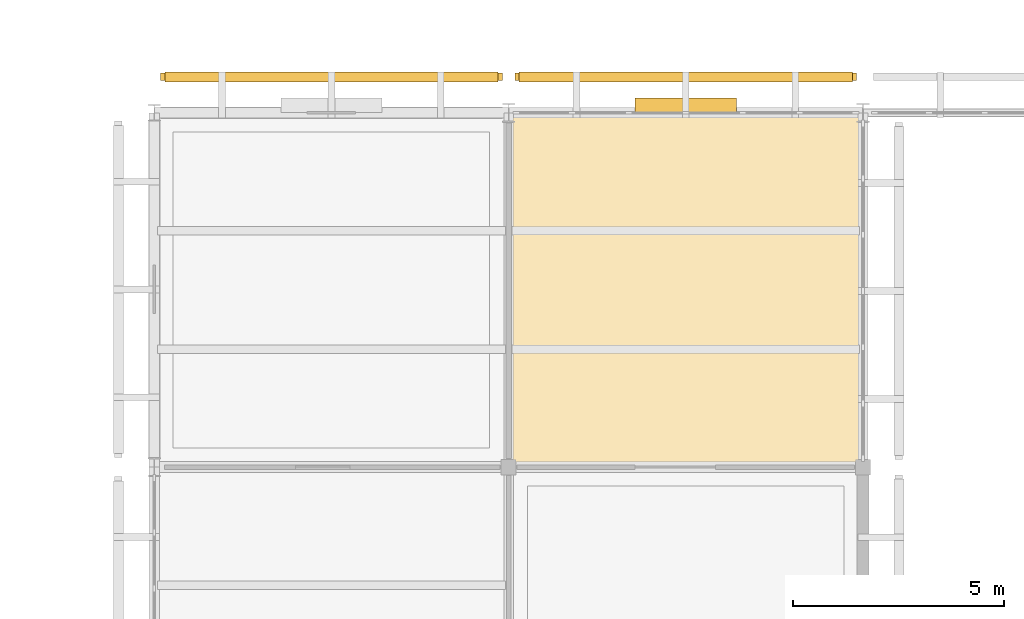
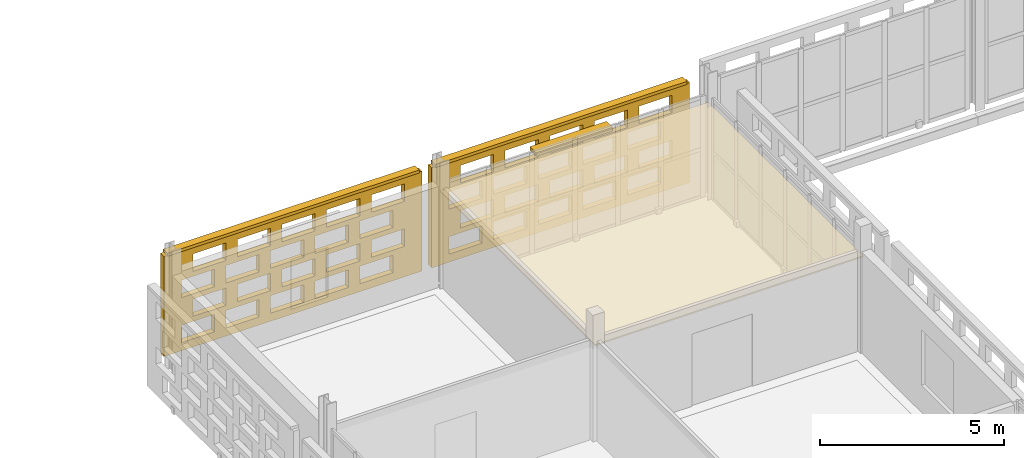
# One storey, part 118 of 140: 3 coverings, 3 shading devices, 40 openings.
"""IFC4 building model written with IfcOpenShell, lengths in metres."""

from ifc_helpers import new_model, si_unit, direction, frame, frame_2d, origin, origin_2d, place, context, subcontext, project, spatial, rectangle, extrude, material, layer, layer_set, type_object, element, save


model = new_model("IFC4")

# Units and contexts
model_context = context("Model", 3, precision=1e-05, world=origin(), true_north=direction((0.0, 1.0)))
body_context = subcontext(model_context, "Body", "Model", "MODEL_VIEW")
ifc_project = project(units=[si_unit("LENGTHUNIT", "METRE"), si_unit("AREAUNIT", "SQUARE_METRE"), si_unit("VOLUMEUNIT", "CUBIC_METRE"), si_unit("PLANEANGLEUNIT", "RADIAN"), si_unit("MASSUNIT", "GRAM", prefix="KILO")], contexts=[model_context])

# Site, building, storey
site_placement = place(None, origin())
site = spatial("IfcSite", under=ifc_project, at=site_placement, CompositionType="ELEMENT")
building_placement = place(site_placement, origin())
building = spatial("IfcBuilding", under=site, at=building_placement, Name="Varnapada Polytechnic", CompositionType="ELEMENT")
storey_placement = place(building_placement, frame((0.0, 0.0, 13.800048828125)))
storey = spatial("IfcBuildingStorey", under=building, at=storey_placement, Name="L03", CompositionType="ELEMENT", Elevation=13.800048828125)

# Shading device
ifc_material_1 = material(Name="Anodised aluminium", Category="aluminium")
ifc_layer_1 = layer(ifc_material_1, 0.35009765625)
ifc_layer_set_1 = layer_set([ifc_layer_1], Name="Anodised aluminium")
shading_device_type_1 = type_object("IfcShadingDeviceType", Name="Solar Louvre LVR-01", PredefinedType="JALOUSIE", material=ifc_layer_set_1)
shading_device_placement = place(storey_placement, frame((63.0, 126.179931640625, 3.159912109375), z_axis=(0.0, 0.0, 1.0), x_axis=(1.0, 0.0, 0.0)))
element("IfcShadingDevice", 1, at=shading_device_placement, inside=storey, type_object=shading_device_type_1, Name="L03 aluminium sun louvre 52", PredefinedType="JALOUSIE", context=body_context, shape_type="SweptSolid", body=[
    extrude(rectangle(XDim=2.39990234375, YDim=0.340087890625, at=origin_2d()), origin(), (0.0, 0.0, 1.0), 0.1201171875),
])

# Covering
ifc_material_2 = material(Name="Micro-Perforated Gypsum Acoustic Ceiling")
ifc_layer_2 = layer(ifc_material_2, 0.044921875)
ifc_layer_set_2 = layer_set([ifc_layer_2], Name="Micro-Perforated Gypsum Acoustic Ceiling")
covering_type_1 = type_object("IfcCoveringType", Name="Suspended Ceiling CLG-04", PredefinedType="CEILING", material=ifc_layer_set_2)
covering_1_placement = place(storey_placement, frame((63.0, 121.800048828125, 3.027587890625), z_axis=(0.0, 0.0, 1.0), x_axis=(1.0, 0.0, 0.0)))
element("IfcCovering", 2, at=covering_1_placement, inside=storey, type_object=covering_type_1, Name="L03 suspended acoustic ceiling (8,15)", PredefinedType="CEILING", context=body_context, shape_type="SweptSolid", body=[
    extrude(rectangle(XDim=8.419921875, YDim=8.419921875, at=origin_2d()), origin(), (0.0, 0.0, 1.0), 0.044921875),
])

# Covering, openings
ifc_material_3 = material(Name="Earth-toned architectural terracotta screen block", Category="masonry")
ifc_layer_3 = layer(ifc_material_3, 0.1201171875)
ifc_layer_set_3 = layer_set([ifc_layer_3], Name="Earth-toned architectural terracotta screen block")
covering_type_2 = type_object("IfcCoveringType", Name="Terracotta Screen Cladding CLD-01", PredefinedType="CLADDING", material=ifc_layer_set_3)
covering_2_placement = place(storey_placement, frame((50.550048828125, 126.85009765625, 0.0), z_axis=(0.0, 0.0, 1.0), x_axis=(1.0, 0.0, 0.0)))
covering_2 = element("IfcCovering", 3, at=covering_2_placement, inside=storey, type_object=covering_type_2, Name="L03 perforated terracotta block screen (46)", PredefinedType="CLADDING", context=body_context, shape_type="SweptSolid", body=[
    extrude(rectangle(XDim=8.099853515625, YDim=0.179931640625, at=frame_2d((4.0498046875, 0.0))), origin(), (0.0, 0.0, 1.0), 3.320068359375),
])
opening_1_placement = place(covering_2_placement, frame((0.550048828125, 0.0, 0.265625)))
element("IfcOpeningElement", 4, at=opening_1_placement, cuts=covering_2, Name="Screen perforation TBS-L03-045.1", PredefinedType="OPENING", context=body_context, shape_type="SweptSolid", body=[
    extrude(rectangle(XDim=1.0400390625, YDim=0.5810546875, at=frame_2d((0.52001953125, 0.29052734375))), frame((0.0, 0.099853515625, 0.0), z_axis=(0.0, -1.0, 0.0), x_axis=(1.0, 0.0, 0.0)), (0.0, 0.0, 1.0), 0.199951171875),
])
opening_2_placement = place(covering_2_placement, frame((1.949951171875, 0.0, 0.265625)))
element("IfcOpeningElement", 5, at=opening_2_placement, cuts=covering_2, Name="Screen perforation TBS-L03-045.2", PredefinedType="OPENING", context=body_context, shape_type="SweptSolid", body=[
    extrude(rectangle(XDim=1.0400390625, YDim=0.5810546875, at=frame_2d((0.52001953125, 0.29052734375))), frame((0.0, 0.099853515625, 0.0), z_axis=(0.0, -1.0, 0.0), x_axis=(1.0, 0.0, 0.0)), (0.0, 0.0, 1.0), 0.199951171875),
])
opening_3_placement = place(covering_2_placement, frame((3.35009765625, 0.0, 0.265625)))
element("IfcOpeningElement", 6, at=opening_3_placement, cuts=covering_2, Name="Screen perforation TBS-L03-045.3", PredefinedType="OPENING", context=body_context, shape_type="SweptSolid", body=[
    extrude(rectangle(XDim=1.0400390625, YDim=0.5810546875, at=frame_2d((0.52001953125, 0.29052734375))), frame((0.0, 0.099853515625, 0.0), z_axis=(0.0, -1.0, 0.0), x_axis=(1.0, 0.0, 0.0)), (0.0, 0.0, 1.0), 0.199951171875),
])
opening_4_placement = place(covering_2_placement, frame((4.75, 0.0, 0.265625)))
element("IfcOpeningElement", 7, at=opening_4_placement, cuts=covering_2, Name="Screen perforation TBS-L03-045.4", PredefinedType="OPENING", context=body_context, shape_type="SweptSolid", body=[
    extrude(rectangle(XDim=1.0400390625, YDim=0.5810546875, at=frame_2d((0.52001953125, 0.29052734375))), frame((0.0, 0.099853515625, 0.0), z_axis=(0.0, -1.0, 0.0), x_axis=(1.0, 0.0, 0.0)), (0.0, 0.0, 1.0), 0.199951171875),
])
opening_5_placement = place(covering_2_placement, frame((6.14990234375, 0.0, 0.265625)))
element("IfcOpeningElement", 8, at=opening_5_placement, cuts=covering_2, Name="Screen perforation TBS-L03-045.5", PredefinedType="OPENING", context=body_context, shape_type="SweptSolid", body=[
    extrude(rectangle(XDim=1.0400390625, YDim=0.5810546875, at=frame_2d((0.52001953125, 0.29052734375))), frame((0.0, 0.099853515625, 0.0), z_axis=(0.0, -1.0, 0.0), x_axis=(1.0, 0.0, 0.0)), (0.0, 0.0, 1.0), 0.199951171875),
])
opening_6_placement = place(covering_2_placement, frame((0.909912109375, 0.0, 1.0126953125)))
element("IfcOpeningElement", 9, at=opening_6_placement, cuts=covering_2, Name="Screen perforation TBS-L03-045.6", PredefinedType="OPENING", context=body_context, shape_type="SweptSolid", body=[
    extrude(rectangle(XDim=1.0400390625, YDim=0.5810546875, at=frame_2d((0.52001953125, 0.29052734375))), frame((0.0, 0.099853515625, 0.0), z_axis=(0.0, -1.0, 0.0), x_axis=(1.0, 0.0, 0.0)), (0.0, 0.0, 1.0), 0.199951171875),
])
opening_7_placement = place(covering_2_placement, frame((2.31005859375, 0.0, 1.0126953125)))
element("IfcOpeningElement", 10, at=opening_7_placement, cuts=covering_2, Name="Screen perforation TBS-L03-045.7", PredefinedType="OPENING", context=body_context, shape_type="SweptSolid", body=[
    extrude(rectangle(XDim=1.0400390625, YDim=0.5810546875, at=frame_2d((0.52001953125, 0.29052734375))), frame((0.0, 0.099853515625, 0.0), z_axis=(0.0, -1.0, 0.0), x_axis=(1.0, 0.0, 0.0)), (0.0, 0.0, 1.0), 0.199951171875),
])
opening_8_placement = place(covering_2_placement, frame((3.7099609375, 0.0, 1.0126953125)))
element("IfcOpeningElement", 11, at=opening_8_placement, cuts=covering_2, Name="Screen perforation TBS-L03-045.8", PredefinedType="OPENING", context=body_context, shape_type="SweptSolid", body=[
    extrude(rectangle(XDim=1.0400390625, YDim=0.5810546875, at=frame_2d((0.52001953125, 0.29052734375))), frame((0.0, 0.099853515625, 0.0), z_axis=(0.0, -1.0, 0.0), x_axis=(1.0, 0.0, 0.0)), (0.0, 0.0, 1.0), 0.199951171875),
])
opening_9_placement = place(covering_2_placement, frame((5.110107421875, 0.0, 1.0126953125)))
element("IfcOpeningElement", 12, at=opening_9_placement, cuts=covering_2, Name="Screen perforation TBS-L03-045.9", PredefinedType="OPENING", context=body_context, shape_type="SweptSolid", body=[
    extrude(rectangle(XDim=1.0400390625, YDim=0.5810546875, at=frame_2d((0.52001953125, 0.29052734375))), frame((0.0, 0.099853515625, 0.0), z_axis=(0.0, -1.0, 0.0), x_axis=(1.0, 0.0, 0.0)), (0.0, 0.0, 1.0), 0.199951171875),
])
opening_10_placement = place(covering_2_placement, frame((6.510009765625, 0.0, 1.0126953125)))
element("IfcOpeningElement", 13, at=opening_10_placement, cuts=covering_2, Name="Screen perforation TBS-L03-045.10", PredefinedType="OPENING", context=body_context, shape_type="SweptSolid", body=[
    extrude(rectangle(XDim=1.0400390625, YDim=0.5810546875, at=frame_2d((0.52001953125, 0.29052734375))), frame((0.0, 0.099853515625, 0.0), z_axis=(0.0, -1.0, 0.0), x_axis=(1.0, 0.0, 0.0)), (0.0, 0.0, 1.0), 0.199951171875),
])
opening_11_placement = place(covering_2_placement, frame((0.550048828125, 0.0, 1.759521484375)))
element("IfcOpeningElement", 14, at=opening_11_placement, cuts=covering_2, Name="Screen perforation TBS-L03-045.11", PredefinedType="OPENING", context=body_context, shape_type="SweptSolid", body=[
    extrude(rectangle(XDim=1.0400390625, YDim=0.5810546875, at=frame_2d((0.52001953125, 0.29052734375))), frame((0.0, 0.099853515625, 0.0), z_axis=(0.0, -1.0, 0.0), x_axis=(1.0, 0.0, 0.0)), (0.0, 0.0, 1.0), 0.199951171875),
])
opening_12_placement = place(covering_2_placement, frame((1.949951171875, 0.0, 1.759521484375)))
element("IfcOpeningElement", 15, at=opening_12_placement, cuts=covering_2, Name="Screen perforation TBS-L03-045.12", PredefinedType="OPENING", context=body_context, shape_type="SweptSolid", body=[
    extrude(rectangle(XDim=1.0400390625, YDim=0.5810546875, at=frame_2d((0.52001953125, 0.29052734375))), frame((0.0, 0.099853515625, 0.0), z_axis=(0.0, -1.0, 0.0), x_axis=(1.0, 0.0, 0.0)), (0.0, 0.0, 1.0), 0.199951171875),
])
opening_13_placement = place(covering_2_placement, frame((3.35009765625, 0.0, 1.759521484375)))
element("IfcOpeningElement", 16, at=opening_13_placement, cuts=covering_2, Name="Screen perforation TBS-L03-045.13", PredefinedType="OPENING", context=body_context, shape_type="SweptSolid", body=[
    extrude(rectangle(XDim=1.0400390625, YDim=0.5810546875, at=frame_2d((0.52001953125, 0.29052734375))), frame((0.0, 0.099853515625, 0.0), z_axis=(0.0, -1.0, 0.0), x_axis=(1.0, 0.0, 0.0)), (0.0, 0.0, 1.0), 0.199951171875),
])
opening_14_placement = place(covering_2_placement, frame((4.75, 0.0, 1.759521484375)))
element("IfcOpeningElement", 17, at=opening_14_placement, cuts=covering_2, Name="Screen perforation TBS-L03-045.14", PredefinedType="OPENING", context=body_context, shape_type="SweptSolid", body=[
    extrude(rectangle(XDim=1.0400390625, YDim=0.5810546875, at=frame_2d((0.52001953125, 0.29052734375))), frame((0.0, 0.099853515625, 0.0), z_axis=(0.0, -1.0, 0.0), x_axis=(1.0, 0.0, 0.0)), (0.0, 0.0, 1.0), 0.199951171875),
])
opening_15_placement = place(covering_2_placement, frame((6.14990234375, 0.0, 1.759521484375)))
element("IfcOpeningElement", 18, at=opening_15_placement, cuts=covering_2, Name="Screen perforation TBS-L03-045.15", PredefinedType="OPENING", context=body_context, shape_type="SweptSolid", body=[
    extrude(rectangle(XDim=1.0400390625, YDim=0.5810546875, at=frame_2d((0.52001953125, 0.29052734375))), frame((0.0, 0.099853515625, 0.0), z_axis=(0.0, -1.0, 0.0), x_axis=(1.0, 0.0, 0.0)), (0.0, 0.0, 1.0), 0.199951171875),
])
opening_16_placement = place(covering_2_placement, frame((0.909912109375, 0.0, 2.506591796875)))
element("IfcOpeningElement", 19, at=opening_16_placement, cuts=covering_2, Name="Screen perforation TBS-L03-045.16", PredefinedType="OPENING", context=body_context, shape_type="SweptSolid", body=[
    extrude(rectangle(XDim=1.0400390625, YDim=0.5810546875, at=frame_2d((0.52001953125, 0.29052734375))), frame((0.0, 0.099853515625, 0.0), z_axis=(0.0, -1.0, 0.0), x_axis=(1.0, 0.0, 0.0)), (0.0, 0.0, 1.0), 0.199951171875),
])
opening_17_placement = place(covering_2_placement, frame((2.31005859375, 0.0, 2.506591796875)))
element("IfcOpeningElement", 20, at=opening_17_placement, cuts=covering_2, Name="Screen perforation TBS-L03-045.17", PredefinedType="OPENING", context=body_context, shape_type="SweptSolid", body=[
    extrude(rectangle(XDim=1.0400390625, YDim=0.5810546875, at=frame_2d((0.52001953125, 0.29052734375))), frame((0.0, 0.099853515625, 0.0), z_axis=(0.0, -1.0, 0.0), x_axis=(1.0, 0.0, 0.0)), (0.0, 0.0, 1.0), 0.199951171875),
])
opening_18_placement = place(covering_2_placement, frame((3.7099609375, 0.0, 2.506591796875)))
element("IfcOpeningElement", 21, at=opening_18_placement, cuts=covering_2, Name="Screen perforation TBS-L03-045.18", PredefinedType="OPENING", context=body_context, shape_type="SweptSolid", body=[
    extrude(rectangle(XDim=1.0400390625, YDim=0.5810546875, at=frame_2d((0.52001953125, 0.29052734375))), frame((0.0, 0.099853515625, 0.0), z_axis=(0.0, -1.0, 0.0), x_axis=(1.0, 0.0, 0.0)), (0.0, 0.0, 1.0), 0.199951171875),
])
opening_19_placement = place(covering_2_placement, frame((5.110107421875, 0.0, 2.506591796875)))
element("IfcOpeningElement", 22, at=opening_19_placement, cuts=covering_2, Name="Screen perforation TBS-L03-045.19", PredefinedType="OPENING", context=body_context, shape_type="SweptSolid", body=[
    extrude(rectangle(XDim=1.0400390625, YDim=0.5810546875, at=frame_2d((0.52001953125, 0.29052734375))), frame((0.0, 0.099853515625, 0.0), z_axis=(0.0, -1.0, 0.0), x_axis=(1.0, 0.0, 0.0)), (0.0, 0.0, 1.0), 0.199951171875),
])
opening_20_placement = place(covering_2_placement, frame((6.510009765625, 0.0, 2.506591796875)))
element("IfcOpeningElement", 23, at=opening_20_placement, cuts=covering_2, Name="Screen perforation TBS-L03-045.20", PredefinedType="OPENING", context=body_context, shape_type="SweptSolid", body=[
    extrude(rectangle(XDim=1.0400390625, YDim=0.5810546875, at=frame_2d((0.52001953125, 0.29052734375))), frame((0.0, 0.099853515625, 0.0), z_axis=(0.0, -1.0, 0.0), x_axis=(1.0, 0.0, 0.0)), (0.0, 0.0, 1.0), 0.199951171875),
])

covering_3_placement = place(storey_placement, frame((58.949951171875, 126.85009765625, 0.0), z_axis=(0.0, 0.0, 1.0), x_axis=(1.0, 0.0, 0.0)))
covering_3 = element("IfcCovering", 24, at=covering_3_placement, inside=storey, type_object=covering_type_2, Name="L03 perforated terracotta block screen (52)", PredefinedType="CLADDING", context=body_context, shape_type="SweptSolid", body=[
    extrude(rectangle(XDim=8.10009765625, YDim=0.179931640625, at=frame_2d((4.050048828125, 0.0))), origin(), (0.0, 0.0, 1.0), 3.320068359375),
])
opening_21_placement = place(covering_3_placement, frame((0.550048828125, 0.0, 0.265625)))
element("IfcOpeningElement", 25, at=opening_21_placement, cuts=covering_3, Name="Screen perforation TBS-L03-051.1", PredefinedType="OPENING", context=body_context, shape_type="SweptSolid", body=[
    extrude(rectangle(XDim=1.0400390625, YDim=0.5810546875, at=frame_2d((0.52001953125, 0.29052734375))), frame((0.0, 0.099853515625, 0.0), z_axis=(0.0, -1.0, 0.0), x_axis=(1.0, 0.0, 0.0)), (0.0, 0.0, 1.0), 0.199951171875),
])
opening_22_placement = place(covering_3_placement, frame((1.949951171875, 0.0, 0.265625)))
element("IfcOpeningElement", 26, at=opening_22_placement, cuts=covering_3, Name="Screen perforation TBS-L03-051.2", PredefinedType="OPENING", context=body_context, shape_type="SweptSolid", body=[
    extrude(rectangle(XDim=1.0400390625, YDim=0.5810546875, at=frame_2d((0.52001953125, 0.29052734375))), frame((0.0, 0.099853515625, 0.0), z_axis=(0.0, -1.0, 0.0), x_axis=(1.0, 0.0, 0.0)), (0.0, 0.0, 1.0), 0.199951171875),
])
opening_23_placement = place(covering_3_placement, frame((3.35009765625, 0.0, 0.265625)))
element("IfcOpeningElement", 27, at=opening_23_placement, cuts=covering_3, Name="Screen perforation TBS-L03-051.3", PredefinedType="OPENING", context=body_context, shape_type="SweptSolid", body=[
    extrude(rectangle(XDim=1.0400390625, YDim=0.5810546875, at=frame_2d((0.52001953125, 0.29052734375))), frame((0.0, 0.099853515625, 0.0), z_axis=(0.0, -1.0, 0.0), x_axis=(1.0, 0.0, 0.0)), (0.0, 0.0, 1.0), 0.199951171875),
])
opening_24_placement = place(covering_3_placement, frame((4.75, 0.0, 0.265625)))
element("IfcOpeningElement", 28, at=opening_24_placement, cuts=covering_3, Name="Screen perforation TBS-L03-051.4", PredefinedType="OPENING", context=body_context, shape_type="SweptSolid", body=[
    extrude(rectangle(XDim=1.0400390625, YDim=0.5810546875, at=frame_2d((0.52001953125, 0.29052734375))), frame((0.0, 0.099853515625, 0.0), z_axis=(0.0, -1.0, 0.0), x_axis=(1.0, 0.0, 0.0)), (0.0, 0.0, 1.0), 0.199951171875),
])
opening_25_placement = place(covering_3_placement, frame((6.14990234375, 0.0, 0.265625)))
element("IfcOpeningElement", 29, at=opening_25_placement, cuts=covering_3, Name="Screen perforation TBS-L03-051.5", PredefinedType="OPENING", context=body_context, shape_type="SweptSolid", body=[
    extrude(rectangle(XDim=1.0400390625, YDim=0.5810546875, at=frame_2d((0.52001953125, 0.29052734375))), frame((0.0, 0.099853515625, 0.0), z_axis=(0.0, -1.0, 0.0), x_axis=(1.0, 0.0, 0.0)), (0.0, 0.0, 1.0), 0.199951171875),
])
opening_26_placement = place(covering_3_placement, frame((0.909912109375, 0.0, 1.0126953125)))
element("IfcOpeningElement", 30, at=opening_26_placement, cuts=covering_3, Name="Screen perforation TBS-L03-051.6", PredefinedType="OPENING", context=body_context, shape_type="SweptSolid", body=[
    extrude(rectangle(XDim=1.0400390625, YDim=0.5810546875, at=frame_2d((0.52001953125, 0.29052734375))), frame((0.0, 0.099853515625, 0.0), z_axis=(0.0, -1.0, 0.0), x_axis=(1.0, 0.0, 0.0)), (0.0, 0.0, 1.0), 0.199951171875),
])
opening_27_placement = place(covering_3_placement, frame((2.31005859375, 0.0, 1.0126953125)))
element("IfcOpeningElement", 31, at=opening_27_placement, cuts=covering_3, Name="Screen perforation TBS-L03-051.7", PredefinedType="OPENING", context=body_context, shape_type="SweptSolid", body=[
    extrude(rectangle(XDim=1.0400390625, YDim=0.5810546875, at=frame_2d((0.52001953125, 0.29052734375))), frame((0.0, 0.099853515625, 0.0), z_axis=(0.0, -1.0, 0.0), x_axis=(1.0, 0.0, 0.0)), (0.0, 0.0, 1.0), 0.199951171875),
])
opening_28_placement = place(covering_3_placement, frame((3.7099609375, 0.0, 1.0126953125)))
element("IfcOpeningElement", 32, at=opening_28_placement, cuts=covering_3, Name="Screen perforation TBS-L03-051.8", PredefinedType="OPENING", context=body_context, shape_type="SweptSolid", body=[
    extrude(rectangle(XDim=1.0400390625, YDim=0.5810546875, at=frame_2d((0.52001953125, 0.29052734375))), frame((0.0, 0.099853515625, 0.0), z_axis=(0.0, -1.0, 0.0), x_axis=(1.0, 0.0, 0.0)), (0.0, 0.0, 1.0), 0.199951171875),
])
opening_29_placement = place(covering_3_placement, frame((5.110107421875, 0.0, 1.0126953125)))
element("IfcOpeningElement", 33, at=opening_29_placement, cuts=covering_3, Name="Screen perforation TBS-L03-051.9", PredefinedType="OPENING", context=body_context, shape_type="SweptSolid", body=[
    extrude(rectangle(XDim=1.0400390625, YDim=0.5810546875, at=frame_2d((0.52001953125, 0.29052734375))), frame((0.0, 0.099853515625, 0.0), z_axis=(0.0, -1.0, 0.0), x_axis=(1.0, 0.0, 0.0)), (0.0, 0.0, 1.0), 0.199951171875),
])
opening_30_placement = place(covering_3_placement, frame((6.510009765625, 0.0, 1.0126953125)))
element("IfcOpeningElement", 34, at=opening_30_placement, cuts=covering_3, Name="Screen perforation TBS-L03-051.10", PredefinedType="OPENING", context=body_context, shape_type="SweptSolid", body=[
    extrude(rectangle(XDim=1.0400390625, YDim=0.5810546875, at=frame_2d((0.52001953125, 0.29052734375))), frame((0.0, 0.099853515625, 0.0), z_axis=(0.0, -1.0, 0.0), x_axis=(1.0, 0.0, 0.0)), (0.0, 0.0, 1.0), 0.199951171875),
])
opening_31_placement = place(covering_3_placement, frame((0.550048828125, 0.0, 1.759521484375)))
element("IfcOpeningElement", 35, at=opening_31_placement, cuts=covering_3, Name="Screen perforation TBS-L03-051.11", PredefinedType="OPENING", context=body_context, shape_type="SweptSolid", body=[
    extrude(rectangle(XDim=1.0400390625, YDim=0.5810546875, at=frame_2d((0.52001953125, 0.29052734375))), frame((0.0, 0.099853515625, 0.0), z_axis=(0.0, -1.0, 0.0), x_axis=(1.0, 0.0, 0.0)), (0.0, 0.0, 1.0), 0.199951171875),
])
opening_32_placement = place(covering_3_placement, frame((1.949951171875, 0.0, 1.759521484375)))
element("IfcOpeningElement", 36, at=opening_32_placement, cuts=covering_3, Name="Screen perforation TBS-L03-051.12", PredefinedType="OPENING", context=body_context, shape_type="SweptSolid", body=[
    extrude(rectangle(XDim=1.0400390625, YDim=0.5810546875, at=frame_2d((0.52001953125, 0.29052734375))), frame((0.0, 0.099853515625, 0.0), z_axis=(0.0, -1.0, 0.0), x_axis=(1.0, 0.0, 0.0)), (0.0, 0.0, 1.0), 0.199951171875),
])
opening_33_placement = place(covering_3_placement, frame((3.35009765625, 0.0, 1.759521484375)))
element("IfcOpeningElement", 37, at=opening_33_placement, cuts=covering_3, Name="Screen perforation TBS-L03-051.13", PredefinedType="OPENING", context=body_context, shape_type="SweptSolid", body=[
    extrude(rectangle(XDim=1.0400390625, YDim=0.5810546875, at=frame_2d((0.52001953125, 0.29052734375))), frame((0.0, 0.099853515625, 0.0), z_axis=(0.0, -1.0, 0.0), x_axis=(1.0, 0.0, 0.0)), (0.0, 0.0, 1.0), 0.199951171875),
])
opening_34_placement = place(covering_3_placement, frame((4.75, 0.0, 1.759521484375)))
element("IfcOpeningElement", 38, at=opening_34_placement, cuts=covering_3, Name="Screen perforation TBS-L03-051.14", PredefinedType="OPENING", context=body_context, shape_type="SweptSolid", body=[
    extrude(rectangle(XDim=1.0400390625, YDim=0.5810546875, at=frame_2d((0.52001953125, 0.29052734375))), frame((0.0, 0.099853515625, 0.0), z_axis=(0.0, -1.0, 0.0), x_axis=(1.0, 0.0, 0.0)), (0.0, 0.0, 1.0), 0.199951171875),
])
opening_35_placement = place(covering_3_placement, frame((6.14990234375, 0.0, 1.759521484375)))
element("IfcOpeningElement", 39, at=opening_35_placement, cuts=covering_3, Name="Screen perforation TBS-L03-051.15", PredefinedType="OPENING", context=body_context, shape_type="SweptSolid", body=[
    extrude(rectangle(XDim=1.0400390625, YDim=0.5810546875, at=frame_2d((0.52001953125, 0.29052734375))), frame((0.0, 0.099853515625, 0.0), z_axis=(0.0, -1.0, 0.0), x_axis=(1.0, 0.0, 0.0)), (0.0, 0.0, 1.0), 0.199951171875),
])
opening_36_placement = place(covering_3_placement, frame((0.909912109375, 0.0, 2.506591796875)))
element("IfcOpeningElement", 40, at=opening_36_placement, cuts=covering_3, Name="Screen perforation TBS-L03-051.16", PredefinedType="OPENING", context=body_context, shape_type="SweptSolid", body=[
    extrude(rectangle(XDim=1.0400390625, YDim=0.5810546875, at=frame_2d((0.52001953125, 0.29052734375))), frame((0.0, 0.099853515625, 0.0), z_axis=(0.0, -1.0, 0.0), x_axis=(1.0, 0.0, 0.0)), (0.0, 0.0, 1.0), 0.199951171875),
])
opening_37_placement = place(covering_3_placement, frame((2.31005859375, 0.0, 2.506591796875)))
element("IfcOpeningElement", 41, at=opening_37_placement, cuts=covering_3, Name="Screen perforation TBS-L03-051.17", PredefinedType="OPENING", context=body_context, shape_type="SweptSolid", body=[
    extrude(rectangle(XDim=1.0400390625, YDim=0.5810546875, at=frame_2d((0.52001953125, 0.29052734375))), frame((0.0, 0.099853515625, 0.0), z_axis=(0.0, -1.0, 0.0), x_axis=(1.0, 0.0, 0.0)), (0.0, 0.0, 1.0), 0.199951171875),
])
opening_38_placement = place(covering_3_placement, frame((3.7099609375, 0.0, 2.506591796875)))
element("IfcOpeningElement", 42, at=opening_38_placement, cuts=covering_3, Name="Screen perforation TBS-L03-051.18", PredefinedType="OPENING", context=body_context, shape_type="SweptSolid", body=[
    extrude(rectangle(XDim=1.0400390625, YDim=0.5810546875, at=frame_2d((0.52001953125, 0.29052734375))), frame((0.0, 0.099853515625, 0.0), z_axis=(0.0, -1.0, 0.0), x_axis=(1.0, 0.0, 0.0)), (0.0, 0.0, 1.0), 0.199951171875),
])
opening_39_placement = place(covering_3_placement, frame((5.110107421875, 0.0, 2.506591796875)))
element("IfcOpeningElement", 43, at=opening_39_placement, cuts=covering_3, Name="Screen perforation TBS-L03-051.19", PredefinedType="OPENING", context=body_context, shape_type="SweptSolid", body=[
    extrude(rectangle(XDim=1.0400390625, YDim=0.5810546875, at=frame_2d((0.52001953125, 0.29052734375))), frame((0.0, 0.099853515625, 0.0), z_axis=(0.0, -1.0, 0.0), x_axis=(1.0, 0.0, 0.0)), (0.0, 0.0, 1.0), 0.199951171875),
])
opening_40_placement = place(covering_3_placement, frame((6.510009765625, 0.0, 2.506591796875)))
element("IfcOpeningElement", 44, at=opening_40_placement, cuts=covering_3, Name="Screen perforation TBS-L03-051.20", PredefinedType="OPENING", context=body_context, shape_type="SweptSolid", body=[
    extrude(rectangle(XDim=1.0400390625, YDim=0.5810546875, at=frame_2d((0.52001953125, 0.29052734375))), frame((0.0, 0.099853515625, 0.0), z_axis=(0.0, -1.0, 0.0), x_axis=(1.0, 0.0, 0.0)), (0.0, 0.0, 1.0), 0.199951171875),
])

# Shading devices
ifc_layer_4 = layer(ifc_material_3, 0.179931640625)
ifc_layer_set_4 = layer_set([ifc_layer_4], Name="Earth-toned architectural terracotta screen block")
shading_device_type_2 = type_object("IfcShadingDeviceType", Name="Terracotta Screen SCR-01", PredefinedType="USERDEFINED", material=ifc_layer_set_4)
for number, where, z_axis, x_axis, name in (
    (45, (54.60009765625, 126.85009765625, 3.309814453125), (0.0, 0.0, 1.0), (1.0, 0.0, 0.0), "L03 perforated terracotta screen hood 376"),
    (46, (63.0, 126.85009765625, 3.309814453125), (0.0, 0.0, 1.0), (1.0, 0.0, 0.0), "L03 perforated terracotta screen hood 382"),
):
    element("IfcShadingDevice", number, at=place(storey_placement, frame(where, z_axis=z_axis, x_axis=x_axis)), inside=storey, type_object=shading_device_type_2, Name=name, ObjectType="SCREEN", PredefinedType="USERDEFINED", context=body_context, shape_type="SweptSolid", body=[
        extrude(rectangle(XDim=7.89990234375, YDim=0.239990234375, at=origin_2d()), origin(), (0.0, 0.0, 1.0), 0.10009765625),
    ])

save(model, "model.ifc")
